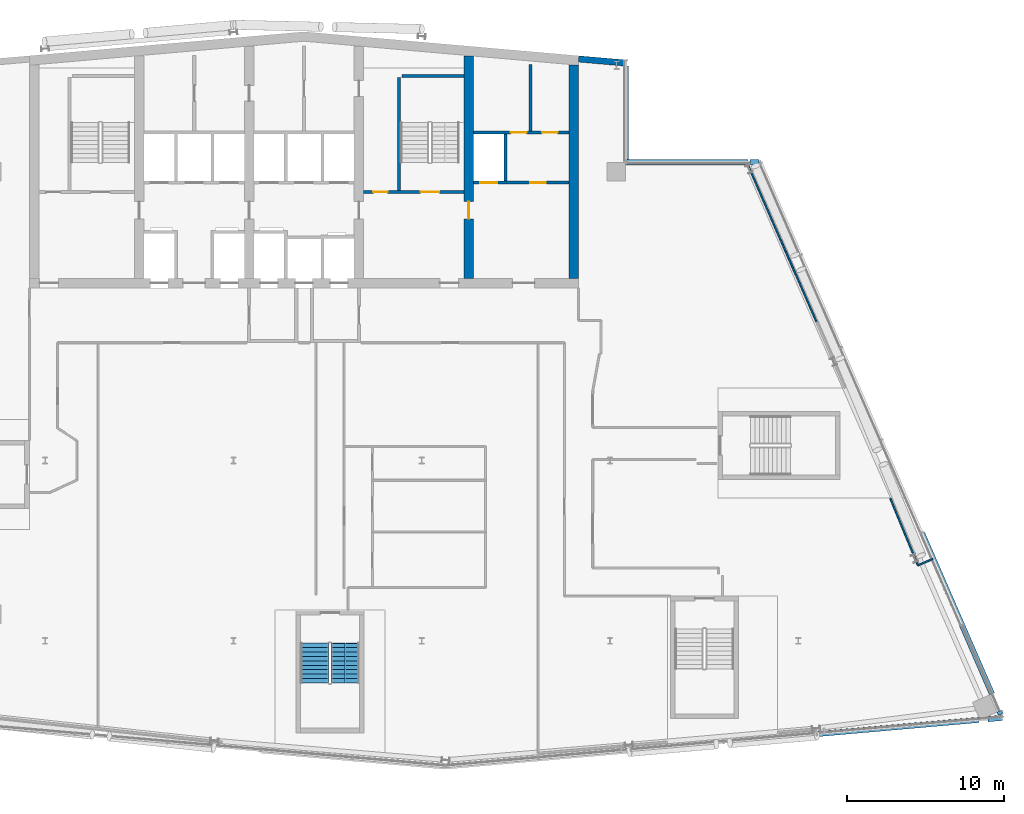
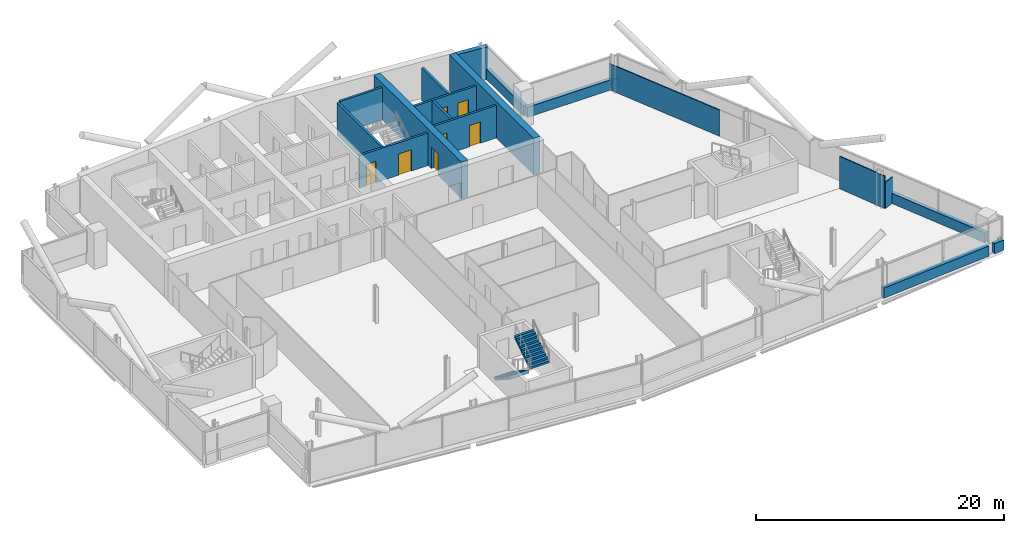
# One storey, part 18 of 26: 20 walls, 7 doors, 2 stair flights, 7 openings, 1 element without a shape of its own.
"""IFC4 building model written with IfcOpenShell, lengths in metres."""

import ifcopenshell
import ifcopenshell.guid

model = None  # the IFC model being written
_history = None  # IfcOwnerHistory: only IFC2X3 demands one
_inside = {}  # id of a spatial element -> (the spatial element, [elements in it])
_under = {}  # id of a project, library or spatial element -> (it, [spatial elements below it])
_declared = {}  # id of a project -> (the project, [libraries it declares])
_typed = {}  # id of a type object -> (the type object, [elements of that type])
_made_of = {}  # id of a material, layer set ... -> (it, [elements and type objects made of it])


def new_model(schema):
    """Start an empty IFC model of exactly this schema.

    Asked for "IFC4X3", IfcOpenShell would pick the latest addendum, in which some entities
    have other attributes; the version numbers below select the first issue.
    IFC2X3 requires an IfcOwnerHistory on every rooted entity: one is made here for all.
    """
    global model, _history
    if schema == "IFC4X3":
        model = ifcopenshell.file(schema_version=(4, 3, 0, 0))
    else:
        model = ifcopenshell.file(schema=schema)
    _inside.clear()
    _under.clear()
    _declared.clear()
    _typed.clear()
    _made_of.clear()
    _history = None
    if model.schema == "IFC2X3":
        org = make("IfcOrganization", Name="unknown")
        user = make(
            "IfcPersonAndOrganization",
            ThePerson=make("IfcPerson", FamilyName="unknown"),
            TheOrganization=org,
        )
        app = make(
            "IfcApplication",
            ApplicationDeveloper=org,
            Version="unknown",
            ApplicationFullName="unknown",
            ApplicationIdentifier="unknown",
        )
        _history = make(
            "IfcOwnerHistory",
            OwningUser=user,
            OwningApplication=app,
            ChangeAction="ADDED",
            CreationDate=0,
        )
    return model


def make(cls, **values):
    """One entity of the class cls with the attributes given. An attribute that is None is left unset."""
    return model.create_entity(
        cls, **{name: value for name, value in values.items() if value is not None}
    )


def rooted(cls, **values):
    """An entity with a GlobalId (a new one), such as an element, a storey or a relation."""
    return make(cls, GlobalId=ifcopenshell.guid.new(), OwnerHistory=_history, **values)


def si_unit(unit_type, name, prefix=None):
    """IfcSIUnit, for example si_unit("LENGTHUNIT", "METRE", prefix="MILLI")."""
    return make("IfcSIUnit", UnitType=unit_type, Prefix=prefix, Name=name)


def assignment(units):
    """IfcUnitAssignment: the units of a project."""
    return None if units is None else make("IfcUnitAssignment", Units=units)


def point(xyz):
    """IfcCartesianPoint."""
    return None if xyz is None else make("IfcCartesianPoint", Coordinates=xyz)


def direction(xyz):
    """IfcDirection."""
    return None if xyz is None else make("IfcDirection", DirectionRatios=xyz)


def frame(location, z_axis=None, x_axis=None):
    """IfcAxis2Placement3D, a coordinate frame: its origin and axes. An axis left out is left unset."""
    return make(
        "IfcAxis2Placement3D",
        Location=point(location),
        Axis=direction(z_axis),
        RefDirection=direction(x_axis),
    )


def frame_2d(location, x_axis=None):
    """IfcAxis2Placement2D, a coordinate frame in the plane: its origin and x axis."""
    return make(
        "IfcAxis2Placement2D", Location=point(location), RefDirection=direction(x_axis)
    )


def origin():
    """The frame at (0, 0, 0) with its axes left unset."""
    return frame((0.0, 0.0, 0.0))


def place(relative_to, where):
    """IfcLocalPlacement: puts the frame where relative to a parent placement (None: the world)."""
    return make(
        "IfcLocalPlacement", PlacementRelTo=relative_to, RelativePlacement=where
    )


def context(
    kind, dimensions, precision=None, world=None, true_north=None, identifier=None
):
    """IfcGeometricRepresentationContext, for example the 3D "Model" context."""
    return make(
        "IfcGeometricRepresentationContext",
        ContextIdentifier=identifier,
        ContextType=kind,
        CoordinateSpaceDimension=dimensions,
        Precision=precision,
        WorldCoordinateSystem=world,
        TrueNorth=true_north,
    )


def subcontext(parent, identifier, kind, view, scale=None):
    """IfcGeometricRepresentationSubContext, for example "Body" below "Model"."""
    return make(
        "IfcGeometricRepresentationSubContext",
        ContextIdentifier=identifier,
        ContextType=kind,
        ParentContext=parent,
        TargetScale=scale,
        TargetView=view,
    )


def project(units=None, contexts=None):
    """IfcProject with its units and contexts."""
    return rooted(
        "IfcProject",
        Name="project",
        RepresentationContexts=contexts,
        UnitsInContext=assignment(units),
    )


def spatial(cls, under=None, at=None, **own):
    """A site, building, storey or space (cls), placed at a placement, below another one or the project."""
    s = rooted(cls, ObjectPlacement=at, **own)
    if under is not None:
        _under.setdefault(under.id(), (under, []))[1].append(s)
    return s


def polyline(points):
    """IfcPolyline through the points."""
    return make("IfcPolyline", Points=[point(p) for p in points])


def profile(cls, at=None, kind="AREA", **sizes):
    """A parametric profile (cls). Its sizes go by their IFC names, for example OverallWidth=200.0."""
    return make(cls, ProfileType=kind, Position=at, **sizes)


def rectangle(**sizes):
    """IfcRectangleProfileDef."""
    return profile("IfcRectangleProfileDef", **sizes)


def outline(outer, holes=None, kind="AREA"):
    """IfcArbitraryClosedProfileDef: a profile drawn as a closed curve; with holes, ...WithVoids."""
    if holes is None:
        return make("IfcArbitraryClosedProfileDef", ProfileType=kind, OuterCurve=outer)
    return make(
        "IfcArbitraryProfileDefWithVoids",
        ProfileType=kind,
        OuterCurve=outer,
        InnerCurves=holes,
    )


def extrude(swept, where, along, depth):
    """IfcExtrudedAreaSolid: the profile swept, set in the frame where, extruded along a direction by depth."""
    return make(
        "IfcExtrudedAreaSolid",
        SweptArea=swept,
        Position=where,
        ExtrudedDirection=direction(along),
        Depth=depth,
    )


def shape(context_of_items, identifier, shape_type, items):
    """IfcShapeRepresentation: the items that make up one representation, for example the "Body"."""
    return make(
        "IfcShapeRepresentation",
        ContextOfItems=context_of_items,
        RepresentationIdentifier=identifier,
        RepresentationType=shape_type,
        Items=items,
    )


def material(Name=None, Category=None):
    """IfcMaterial."""
    return make("IfcMaterial", Name=Name, Category=Category)


def layer(
    of_material, thickness, ventilated=None, Name=None, Category=None, Priority=None
):
    """IfcMaterialLayer: one layer of a wall or slab, of a material (None: an air gap)."""
    return make(
        "IfcMaterialLayer",
        Material=of_material,
        LayerThickness=thickness,
        IsVentilated=ventilated,
        Name=Name,
        Category=Category,
        Priority=Priority,
    )


def layer_set(layers, Name=None):
    """IfcMaterialLayerSet."""
    return make("IfcMaterialLayerSet", MaterialLayers=layers, LayerSetName=Name)


def made_of(thing, what):
    """Note that an element or type object is made of a material, layer set ...; save() writes the relation."""
    if what is not None:
        _made_of.setdefault(what.id(), (what, []))[1].append(thing)
    return thing


def type_object(cls, material=None, **own):
    """A type object (cls), such as IfcWallType, which elements share."""
    return made_of(rooted(cls, **own), material)


def element(
    cls,
    number,
    at=None,
    inside=None,
    cuts=None,
    type_object=None,
    material=None,
    context=None,
    identifier="Body",
    shape_type=None,
    held_by="IfcProductDefinitionShape",
    body=None,
    shapes=None,
    **own,
):
    """One element of the class cls, such as IfcWall. Its Tag is "e" and its number.

    at: its placement. inside: the storey or other place that contains it. cuts: it is an
    opening in that element (IfcRelVoidsElement). A single representation is given by context,
    identifier, shape_type and body (its items); several are given by shapes. held_by: the class
    of the entity that holds the representations. save() writes the other relations.
    """
    e = rooted(cls, Tag="e%d" % number, ObjectPlacement=at, **own)
    if body is not None:
        shapes = [shape(context, identifier, shape_type, body)]
    if shapes is not None:
        e.Representation = make(held_by, Representations=shapes)
    if inside is not None:
        _inside.setdefault(inside.id(), (inside, []))[1].append(e)
    if cuts is not None:
        rooted(
            "IfcRelVoidsElement", RelatingBuildingElement=cuts, RelatedOpeningElement=e
        )
    if type_object is not None:
        _typed.setdefault(type_object.id(), (type_object, []))[1].append(e)
    return made_of(e, material)


def fill(opening, filler):
    """IfcRelFillsElement: the door or window that sits in an opening."""
    return rooted(
        "IfcRelFillsElement",
        RelatingOpeningElement=opening,
        RelatedBuildingElement=filler,
    )


def aggregate(whole, parts):
    """IfcRelAggregates: a whole, such as a stair, and the parts it consists of."""
    return rooted("IfcRelAggregates", RelatingObject=whole, RelatedObjects=parts)


def save(model, path):
    """Write the relations noted so far, then the file.

    IfcRelAggregates (storeys below a building ...), IfcRelContainedInSpatialStructure (elements
    in a storey), IfcRelDefinesByType, IfcRelAssociatesMaterial and IfcRelDeclares: one each for
    every whole, place, type object, material and project.
    """
    for whole, parts in _under.values():
        aggregate(whole, parts)
    for where, things in _inside.values():
        rooted(
            "IfcRelContainedInSpatialStructure",
            RelatedElements=things,
            RelatingStructure=where,
        )
    for kind, things in _typed.values():
        rooted("IfcRelDefinesByType", RelatedObjects=things, RelatingType=kind)
    for what, things in _made_of.values():
        rooted("IfcRelAssociatesMaterial", RelatedObjects=things, RelatingMaterial=what)
    for by, libraries in _declared.values():
        rooted("IfcRelDeclares", RelatingContext=by, RelatedDefinitions=libraries)
    model.write(path)


model = new_model("IFC4")

# Units and contexts
model_context = context("Model", 3, precision=1e-05, world=origin(), true_north=direction((0.0, 1.0)))
body_context = subcontext(model_context, "Body", "Model", "MODEL_VIEW")
ifc_project = project(units=[si_unit("LENGTHUNIT", "METRE"), si_unit("AREAUNIT", "SQUARE_METRE"), si_unit("VOLUMEUNIT", "CUBIC_METRE"), si_unit("PLANEANGLEUNIT", "RADIAN"), si_unit("MASSUNIT", "GRAM", prefix="KILO")], contexts=[model_context])

# Site, building, storey
site_placement = place(None, origin())
site = spatial("IfcSite", under=ifc_project, at=site_placement, CompositionType="ELEMENT")
building_placement = place(site_placement, origin())
building = spatial("IfcBuilding", under=site, at=building_placement, Name="Wharfspan Tower", CompositionType="ELEMENT")
storey_placement = place(building_placement, frame((0.0, 0.0, 235.899902)))
storey = spatial("IfcBuildingStorey", under=building, at=storey_placement, Name="L59", CompositionType="ELEMENT", Elevation=235.899902)

# Wall
ifc_material_1 = material(Name="Calcium silicate masonry", Category="masonry")
ifc_layer_1 = layer(ifc_material_1, 0.199951)
ifc_layer_set_1 = layer_set([ifc_layer_1], Name="Calcium silicate masonry")
wall_type_1 = type_object("IfcWallType", Name="Core room wall 200", PredefinedType="PARTITIONING", material=ifc_layer_set_1)
wall_1_placement = place(storey_placement, frame((54.93335, 44.0, 0.0), z_axis=(0.0, 0.0, 1.0), x_axis=(0.0, 1.0, 0.0)))
element("IfcWall", 1, at=wall_1_placement, inside=storey, type_object=wall_type_1, Name="sw:L59:RP6.1", PredefinedType="PARTITIONING", context=body_context, shape_type="SweptSolid", body=[
    extrude(rectangle(XDim=4.217529, YDim=0.199951, at=frame_2d((2.108887, 0.0))), origin(), (0.0, 0.0, 1.0), 3.200195),
])

# Wall, opening, door
ifc_material_2 = material(Name="Concrete C50/60", Category="concrete")
ifc_layer_2 = layer(ifc_material_2, 0.600098)
ifc_layer_set_2 = layer_set([ifc_layer_2], Name="Concrete C50/60")
wall_type_2 = type_object("IfcWallType", Name="Core wall 600 C50/60", PredefinedType="SHEAR", material=ifc_layer_set_2)
wall_2_placement = place(storey_placement, frame((51.0, 34.600098, 0.0), z_axis=(0.0, 0.0, 1.0), x_axis=(0.0, 1.0, 0.0)))
wall_2 = element("IfcWall", 2, at=wall_2_placement, inside=storey, type_object=wall_type_2, Name="Core cross wall X6 L59", PredefinedType="SHEAR", context=body_context, shape_type="SweptSolid", body=[
    extrude(rectangle(XDim=14.171143, YDim=0.600098, at=frame_2d((7.085449, 0.0))), origin(), (0.0, 0.0, 1.0), 3.600098),
])
opening_1_placement = place(wall_2_placement, frame((3.800049, 0.0, 0.0)))
opening_1 = element("IfcOpeningElement", 3, at=opening_1_placement, cuts=wall_2, Name="Opening CC59.6", PredefinedType="OPENING", context=body_context, shape_type="SweptSolid", body=[
    extrude(rectangle(XDim=1.100098, YDim=2.100098, at=frame_2d((0.550049, 1.050049))), frame((0.0, 0.310059, 0.0), z_axis=(0.0, -1.0, 0.0), x_axis=(1.0, 0.0, 0.0)), (0.0, 0.0, 1.0), 0.620117),
])
ifc_material_3 = material(Name="Steel door leaf", Category="steel")
door_type_1 = type_object("IfcDoorType", Name="Core corridor door 1100x2100", OperationType="SINGLE_SWING_LEFT", PredefinedType="DOOR", material=ifc_material_3)
door_1_placement = place(opening_1_placement, origin())
door_1 = element("IfcDoor", 4, at=door_1_placement, inside=storey, type_object=door_type_1, Name="xd:L59:6", OperationType="SINGLE_SWING_RIGHT", OverallHeight=2.100098, OverallWidth=1.100098, PredefinedType="DOOR", context=body_context, shape_type="SweptSolid", body=[
    extrude(rectangle(XDim=1.100098, YDim=2.100098, at=frame_2d((0.550049, 1.050049))), frame((0.0, 0.024902, 0.0), z_axis=(0.0, -1.0, 0.0), x_axis=(1.0, 0.0, 0.0)), (0.0, 0.0, 1.0), 0.050049),
])
fill(opening_1, door_1)

# Wall
wall_3_placement = place(storey_placement, frame((57.699951, 34.600098, 0.0), z_axis=(0.0, 0.0, 1.0), x_axis=(0.0, 1.0, 0.0)))
element("IfcWall", 5, at=wall_3_placement, inside=storey, type_object=wall_type_2, Name="Core cross wall EW1 L59", PredefinedType="SHEAR", context=body_context, shape_type="SweptSolid", body=[
    extrude(rectangle(XDim=13.584961, YDim=0.600098, at=frame_2d((6.79248, 0.0))), origin(), (0.0, 0.0, 1.0), 3.600098),
])

# Wall, openings, doors
ifc_material_4 = material(Name="Concrete C30/37", Category="concrete")
ifc_layer_3 = layer(ifc_material_4, 0.199951)
ifc_layer_set_3 = layer_set([ifc_layer_3], Name="Concrete C30/37")
wall_type_3 = type_object("IfcWallType", Name="Lift shaft wall 200", PredefinedType="PARTITIONING", material=ifc_layer_set_3)
wall_4_placement = place(storey_placement, frame((51.300049, 40.699951, 0.0), z_axis=(0.0, 0.0, 1.0), x_axis=(1.0, 0.0, 0.0)))
wall_4 = element("IfcWall", 6, at=wall_4_placement, inside=storey, type_object=wall_type_3, Name="sw:L59:RF6", PredefinedType="PARTITIONING", context=body_context, shape_type="SweptSolid", body=[
    extrude(rectangle(XDim=6.099854, YDim=0.199951, at=frame_2d((3.049805, 0.0))), origin(), (0.0, 0.0, 1.0), 3.200195),
])
opening_2_placement = place(wall_4_placement, frame((0.416748, 0.0, 0.0)))
opening_2 = element("IfcOpeningElement", 7, at=opening_2_placement, cuts=wall_4, Name="Opening LD.LB8.L59", PredefinedType="OPENING", context=body_context, shape_type="SweptSolid", body=[
    extrude(rectangle(XDim=1.100098, YDim=2.100098, at=frame_2d((0.550049, 1.050049))), frame((0.0, 0.109863, 0.0), z_axis=(0.0, -1.0, 0.0), x_axis=(1.0, 0.0, 0.0)), (0.0, 0.0, 1.0), 0.219971),
])
opening_3_placement = place(wall_4_placement, frame((3.616699, 0.0, 0.0)))
opening_3 = element("IfcOpeningElement", 8, at=opening_3_placement, cuts=wall_4, Name="Opening CD59.6R2", PredefinedType="OPENING", context=body_context, shape_type="SweptSolid", body=[
    extrude(rectangle(XDim=1.0, YDim=2.100098, at=frame_2d((0.5, 1.050049))), frame((0.0, 0.109863, 0.0), z_axis=(0.0, -1.0, 0.0), x_axis=(1.0, 0.0, 0.0)), (0.0, 0.0, 1.0), 0.219971),
])
door_type_2 = type_object("IfcDoorType", Name="Core room door 1000x2100", OperationType="SINGLE_SWING_LEFT", PredefinedType="DOOR", material=ifc_material_3)
door_2_placement = place(opening_3_placement, origin())
door_2 = element("IfcDoor", 9, at=door_2_placement, inside=storey, type_object=door_type_2, Name="d:L59:6:rd6.2", OperationType="SINGLE_SWING_RIGHT", OverallHeight=2.100098, OverallWidth=1.0, PredefinedType="DOOR", context=body_context, shape_type="SweptSolid", body=[
    extrude(rectangle(XDim=1.0, YDim=2.100098, at=frame_2d((0.5, 1.050049))), frame((0.0, 0.024902, 0.0), z_axis=(0.0, -1.0, 0.0), x_axis=(1.0, 0.0, 0.0)), (0.0, 0.0, 1.0), 0.050049),
])
fill(opening_3, door_2)
ifc_material_5 = material(Name="Stainless steel", Category="steel")
door_type_3 = type_object("IfcDoorType", Name="Lift landing door 1100x2100", OperationType="DOUBLE_DOOR_SLIDING", PredefinedType="DOOR", material=ifc_material_5)
door_3_placement = place(opening_2_placement, origin())
door_3 = element("IfcDoor", 10, at=door_3_placement, inside=storey, type_object=door_type_3, Name="Landing door LB8 L59", OperationType="DOUBLE_DOOR_SLIDING", OverallHeight=2.100098, OverallWidth=1.100098, PredefinedType="DOOR", context=body_context, shape_type="SweptSolid", body=[
    extrude(rectangle(XDim=1.100098, YDim=2.100098, at=frame_2d((0.550049, 1.050049))), frame((0.0, 0.024902, 0.0), z_axis=(0.0, -1.0, 0.0), x_axis=(1.0, 0.0, 0.0)), (0.0, 0.0, 1.0), 0.050049),
])
fill(opening_2, door_3)

wall_5_placement = place(storey_placement, frame((51.300049, 43.899902, 0.0), z_axis=(0.0, 0.0, 1.0), x_axis=(1.0, 0.0, 0.0)))
wall_5 = element("IfcWall", 11, at=wall_5_placement, inside=storey, type_object=wall_type_3, Name="sw:L59:RR6", PredefinedType="PARTITIONING", context=body_context, shape_type="SweptSolid", body=[
    extrude(rectangle(XDim=6.099854, YDim=0.199951, at=frame_2d((3.049805, 0.0))), origin(), (0.0, 0.0, 1.0), 3.200195),
])
opening_4_placement = place(wall_5_placement, frame((2.383301, 0.0, 0.0)))
opening_4 = element("IfcOpeningElement", 12, at=opening_4_placement, cuts=wall_5, Name="Opening CD59.6S2", PredefinedType="OPENING", context=body_context, shape_type="SweptSolid", body=[
    extrude(rectangle(XDim=1.0, YDim=2.100098, at=frame_2d((0.5, 1.050049))), frame((0.0, 0.109863, 0.0), z_axis=(0.0, -1.0, 0.0), x_axis=(1.0, 0.0, 0.0)), (0.0, 0.0, 1.0), 0.219971),
])
opening_5_placement = place(wall_5_placement, frame((4.366699, 0.0, 0.0)))
opening_5 = element("IfcOpeningElement", 13, at=opening_5_placement, cuts=wall_5, Name="Opening CD59.6S2a", PredefinedType="OPENING", context=body_context, shape_type="SweptSolid", body=[
    extrude(rectangle(XDim=1.0, YDim=2.100098, at=frame_2d((0.5, 1.050049))), frame((0.0, 0.109863, 0.0), z_axis=(0.0, -1.0, 0.0), x_axis=(1.0, 0.0, 0.0)), (0.0, 0.0, 1.0), 0.219971),
])
door_4_placement = place(opening_4_placement, origin())
door_4 = element("IfcDoor", 14, at=door_4_placement, inside=storey, type_object=door_type_2, Name="d:L59:6:rs6.2", OperationType="SINGLE_SWING_LEFT", OverallHeight=2.100098, OverallWidth=1.0, PredefinedType="DOOR", context=body_context, shape_type="SweptSolid", body=[
    extrude(rectangle(XDim=1.0, YDim=2.100098, at=frame_2d((0.5, 1.050049))), frame((0.0, 0.024902, 0.0), z_axis=(0.0, -1.0, 0.0), x_axis=(1.0, 0.0, 0.0)), (0.0, 0.0, 1.0), 0.050049),
])
fill(opening_4, door_4)
door_5_placement = place(opening_5_placement, origin())
door_5 = element("IfcDoor", 15, at=door_5_placement, inside=storey, type_object=door_type_2, Name="d:L59:6:rs6.2a", OperationType="SINGLE_SWING_LEFT", OverallHeight=2.100098, OverallWidth=1.0, PredefinedType="DOOR", context=body_context, shape_type="SweptSolid", body=[
    extrude(rectangle(XDim=1.0, YDim=2.100098, at=frame_2d((0.5, 1.050049))), frame((0.0, 0.024902, 0.0), z_axis=(0.0, -1.0, 0.0), x_axis=(1.0, 0.0, 0.0)), (0.0, 0.0, 1.0), 0.050049),
])
fill(opening_5, door_5)

# Walls
wall_6_placement = place(storey_placement, origin())
element("IfcWall", 16, at=wall_6_placement, inside=storey, type_object=wall_type_3, Name="sw:L59:RM6.0", PredefinedType="PARTITIONING", context=body_context, shape_type="SweptSolid", body=[
    extrude(outline(polyline([(53.43335, 40.800049), (53.43335, 43.800049), (53.233398, 43.800049), (53.233398, 40.800049), (53.43335, 40.800049)])), origin(), (0.0, 0.0, 1.0), 3.200195),
])
ifc_material_6 = material(Name="Gypsum board on steel studs", Category="steel")
ifc_layer_4 = layer(ifc_material_6, 0.100098)
ifc_layer_set_4 = layer_set([ifc_layer_4], Name="Gypsum board on steel studs")
wall_type_4 = type_object("IfcWallType", Name="Partition 100", PredefinedType="PARTITIONING", material=ifc_layer_set_4)
wall_7_placement = place(storey_placement, frame((73.165039, 31.820068, 0.0), z_axis=(0.0, 0.0, 1.0), x_axis=(-0.400551, 0.916278, 0.0)))
element("IfcWall", 17, at=wall_7_placement, inside=storey, type_object=wall_type_4, Name="Partition L59.w044", PredefinedType="PARTITIONING", context=body_context, shape_type="SweptSolid", body=[
    extrude(rectangle(XDim=11.088379, YDim=0.100098, at=frame_2d((5.544189, 0.0))), origin(), (0.0, 0.0, 1.0), 2.580078),
])
wall_8_placement = place(storey_placement, frame((79.629883, 16.314941, 0.0), z_axis=(0.0, 0.0, 1.0), x_axis=(0.918616, 0.395147, 0.0)))
element("IfcWall", 18, at=wall_8_placement, inside=storey, type_object=wall_type_4, Name="Partition L59.w048", PredefinedType="PARTITIONING", context=body_context, shape_type="SweptSolid", body=[
    extrude(rectangle(XDim=1.03125, YDim=0.100098, at=frame_2d((0.515625, 0.0))), origin(), (0.0, 0.0, 1.0), 2.580078),
])
wall_9_placement = place(storey_placement, frame((79.629883, 16.314941, 0.0), z_axis=(0.0, 0.0, 1.0), x_axis=(-0.381721, 0.924278, 0.0)))
element("IfcWall", 19, at=wall_9_placement, inside=storey, type_object=wall_type_4, Name="Partition L59.w049", PredefinedType="PARTITIONING", context=body_context, shape_type="SweptSolid", body=[
    extrude(rectangle(XDim=4.614502, YDim=0.100098, at=frame_2d((2.307129, 0.0))), origin(), (0.0, 0.0, 1.0), 3.200195),
])
ifc_material_7 = material(Name="Concrete C40/50", Category="concrete")
ifc_layer_5 = layer(ifc_material_7, 0.350098)
ifc_layer_set_5 = layer_set([ifc_layer_5], Name="Concrete C40/50")
wall_type_5 = type_object("IfcWallType", Name="SPANDREL EXPOSED CONCRETE 350", PredefinedType="SOLIDWALL", material=ifc_layer_set_5)
wall_10_placement = place(storey_placement, frame((73.197021, 5.562256, 0.0), z_axis=(0.0, 0.0, 1.0), x_axis=(0.996198, 0.087163, 0.0)))
element("IfcWall", 20, at=wall_10_placement, inside=storey, type_object=wall_type_5, Name="Spandrel upstand L59 S2 2", PredefinedType="SOLIDWALL", context=body_context, shape_type="SweptSolid", body=[
    extrude(rectangle(XDim=10.35791, YDim=0.350098, at=frame_2d((5.178955, 0.0))), origin(), (0.0, 0.0, 1.0), 1.0),
])
wall_11_placement = place(storey_placement, frame((84.077637, 6.514404, 0.0), z_axis=(0.0, 0.0, 1.0), x_axis=(0.996213, 0.086971, 0.0)))
element("IfcWall", 21, at=wall_11_placement, inside=storey, type_object=wall_type_5, Name="Spandrel upstand L59 S2 3", PredefinedType="SOLIDWALL", context=body_context, shape_type="SweptSolid", body=[
    extrude(rectangle(XDim=0.92627, YDim=0.350098, at=frame_2d((0.463135, 0.0))), origin(), (0.0, 0.0, 1.0), 1.0),
])
wall_12_placement = place(storey_placement, frame((84.9104, 6.818604, 0.0), z_axis=(0.0, 0.0, 1.0), x_axis=(-0.398359, 0.91723, 0.0)))
element("IfcWall", 22, at=wall_12_placement, inside=storey, type_object=wall_type_5, Name="Spandrel upstand L59 E", PredefinedType="SOLIDWALL", context=body_context, shape_type="SweptSolid", body=[
    extrude(rectangle(XDim=0.21875, YDim=0.350098, at=frame_2d((0.109375, 0.0))), origin(), (0.0, 0.0, 1.0), 1.0),
])
wall_13_placement = place(storey_placement, frame((84.344727, 8.119873, 0.0), z_axis=(0.0, 0.0, 1.0), x_axis=(-0.398721, 0.917067, 0.0)))
element("IfcWall", 23, at=wall_13_placement, inside=storey, type_object=wall_type_5, Name="Spandrel upstand L59 E 2", PredefinedType="SOLIDWALL", context=body_context, shape_type="SweptSolid", body=[
    extrude(rectangle(XDim=11.181885, YDim=0.350098, at=frame_2d((5.59082, 0.0))), origin(), (0.0, 0.0, 1.0), 1.0),
])
wall_14_placement = place(storey_placement, frame((69.498535, 42.004883, 0.0), z_axis=(0.0, 0.0, 1.0), x_axis=(-1.0, 0.0, 0.0)))
element("IfcWall", 24, at=wall_14_placement, inside=storey, type_object=wall_type_5, Name="Spandrel upstand L59 NRE-H", PredefinedType="SOLIDWALL", context=body_context, shape_type="SweptSolid", body=[
    extrude(rectangle(XDim=0.57666, YDim=0.350098, at=frame_2d((0.28833, 0.0))), origin(), (0.0, 0.0, 1.0), 1.0),
])
wall_15_placement = place(storey_placement, frame((68.803467, 42.004883, 0.0), z_axis=(0.0, 0.0, 1.0), x_axis=(-1.0, 0.0, 0.0)))
element("IfcWall", 25, at=wall_15_placement, inside=storey, type_object=wall_type_5, Name="Spandrel upstand L59 NRE-H 2", PredefinedType="SOLIDWALL", context=body_context, shape_type="SweptSolid", body=[
    extrude(rectangle(XDim=7.803467, YDim=0.350098, at=frame_2d((3.901855, 0.0))), origin(), (0.0, 0.0, 1.0), 1.0),
])
wall_16_placement = place(storey_placement, frame((61.004883, 42.179932, 0.0), z_axis=(0.0, 0.0, 1.0), x_axis=(0.0, 1.0, 0.0)))
element("IfcWall", 26, at=wall_16_placement, inside=storey, type_object=wall_type_5, Name="Spandrel upstand L59 NRE-V", PredefinedType="SOLIDWALL", context=body_context, shape_type="SweptSolid", body=[
    extrude(rectangle(XDim=5.946533, YDim=0.350098, at=frame_2d((2.973145, 0.0))), origin(), (0.0, 0.0, 1.0), 1.0),
])

# Wall, openings, doors
ifc_layer_6 = layer(ifc_material_7, 0.199951)
ifc_layer_set_6 = layer_set([ifc_layer_6], Name="Concrete C40/50")
wall_type_6 = type_object("IfcWallType", Name="Stair shaft wall 200", PredefinedType="SHEAR", material=ifc_layer_set_6)
wall_17_placement = place(storey_placement, frame((44.300049, 40.100098, 0.0), z_axis=(0.0, 0.0, 1.0), x_axis=(1.0, 0.0, 0.0)))
wall_17 = element("IfcWall", 27, at=wall_17_placement, inside=storey, type_object=wall_type_6, Name="ST2 stair enclosure wall L59", PredefinedType="SHEAR", context=body_context, shape_type="SweptSolid", body=[
    extrude(rectangle(XDim=6.399902, YDim=0.199951, at=frame_2d((3.199951, 0.0))), origin(), (0.0, 0.0, 1.0), 3.200195),
])
opening_6_placement = place(wall_17_placement, frame((3.625, 0.0, 0.0)))
opening_6 = element("IfcOpeningElement", 28, at=opening_6_placement, cuts=wall_17, Name="Opening SD5.L59", PredefinedType="OPENING", context=body_context, shape_type="SweptSolid", body=[
    extrude(rectangle(XDim=1.199951, YDim=2.100098, at=frame_2d((0.600098, 1.050049))), frame((0.0, 0.109863, 0.0), z_axis=(0.0, -1.0, 0.0), x_axis=(1.0, 0.0, 0.0)), (0.0, 0.0, 1.0), 0.219971),
])
opening_7_placement = place(wall_17_placement, frame((0.625, 0.0, 0.0)))
opening_7 = element("IfcOpeningElement", 29, at=opening_7_placement, cuts=wall_17, Name="Opening CD59.5R", PredefinedType="OPENING", context=body_context, shape_type="SweptSolid", body=[
    extrude(rectangle(XDim=0.899902, YDim=2.100098, at=frame_2d((0.449951, 1.050049))), frame((0.0, 0.109863, 0.0), z_axis=(0.0, -1.0, 0.0), x_axis=(1.0, 0.0, 0.0)), (0.0, 0.0, 1.0), 0.219971),
])
door_6_placement = place(opening_7_placement, origin())
door_6 = element("IfcDoor", 30, at=door_6_placement, inside=storey, type_object=door_type_2, Name="rk:L59:5", OperationType="SINGLE_SWING_LEFT", OverallHeight=2.100098, OverallWidth=0.899902, PredefinedType="DOOR", context=body_context, shape_type="SweptSolid", body=[
    extrude(rectangle(XDim=0.899902, YDim=2.100098, at=frame_2d((0.449951, 1.050049))), frame((0.0, 0.024902, 0.0), z_axis=(0.0, -1.0, 0.0), x_axis=(1.0, 0.0, 0.0)), (0.0, 0.0, 1.0), 0.050049),
])
fill(opening_7, door_6)
door_type_4 = type_object("IfcDoorType", Name="Stair door 1200x2100", OperationType="SINGLE_SWING_LEFT", PredefinedType="DOOR", material=ifc_material_3)
door_7_placement = place(opening_6_placement, origin())
door_7 = element("IfcDoor", 31, at=door_7_placement, inside=storey, type_object=door_type_4, Name="sd:L59:5", OperationType="SINGLE_SWING_RIGHT", OverallHeight=2.100098, OverallWidth=1.199951, PredefinedType="DOOR", context=body_context, shape_type="SweptSolid", body=[
    extrude(rectangle(XDim=1.199951, YDim=2.100098, at=frame_2d((0.600098, 1.050049))), frame((0.0, 0.024902, 0.0), z_axis=(0.0, -1.0, 0.0), x_axis=(1.0, 0.0, 0.0)), (0.0, 0.0, 1.0), 0.050049),
])
fill(opening_6, door_7)

# Walls
wall_18_placement = place(storey_placement, frame((46.550049, 40.199951, 0.0), z_axis=(0.0, 0.0, 1.0), x_axis=(0.0, 1.0, 0.0)))
element("IfcWall", 32, at=wall_18_placement, inside=storey, type_object=wall_type_6, Name="ST2 stair enclosure wall L59", PredefinedType="SHEAR", context=body_context, shape_type="SweptSolid", body=[
    extrude(rectangle(XDim=7.199951, YDim=0.199951, at=frame_2d((3.600098, 0.0))), origin(), (0.0, 0.0, 1.0), 3.200195),
])
wall_19_placement = place(storey_placement, frame((46.75, 47.5, 0.0), z_axis=(0.0, 0.0, 1.0), x_axis=(1.0, 0.0, 0.0)))
element("IfcWall", 33, at=wall_19_placement, inside=storey, type_object=wall_type_6, Name="ST2 stair enclosure wall L59", PredefinedType="SHEAR", context=body_context, shape_type="SweptSolid", body=[
    extrude(rectangle(XDim=3.949951, YDim=0.199951, at=frame_2d((1.975098, 0.0))), origin(), (0.0, 0.0, 1.0), 3.200195),
])
ifc_layer_7 = layer(ifc_material_7, 0.399902)
ifc_layer_set_7 = layer_set([ifc_layer_7], Name="Concrete C40/50")
wall_type_7 = type_object("IfcWallType", Name="WALL EXPOSED CONCRETE 400", PredefinedType="SOLIDWALL", material=ifc_layer_set_7)
wall_20_placement = place(storey_placement, frame((60.982666, 48.325684, 0.0), z_axis=(0.0, 0.0, 1.0), x_axis=(-0.996194, 0.087168, 0.0)))
element("IfcWall", 34, at=wall_20_placement, inside=storey, type_object=wall_type_7, Name="Rear wall N2", PredefinedType="SOLIDWALL", context=body_context, shape_type="SweptSolid", body=[
    extrude(rectangle(XDim=2.994141, YDim=0.399902, at=frame_2d((1.49707, 0.0))), origin(), (0.0, 0.0, 1.0), 3.200195),
])

# Stair, stair flights
stair_type = type_object("IfcStairType", Name="Half-turn stair 20 risers 180 mm", PredefinedType="HALF_TURN_STAIR", material=ifc_material_7)
stair_placement = place(storey_placement, origin())
stair = element("IfcStair", 35, at=stair_placement, inside=storey, type_object=stair_type, Name="L59 stair ST4", PredefinedType="HALF_TURN_STAIR")
stair_flight_type = type_object("IfcStairFlightType", Name="Stair flight 20 risers 180 mm", PredefinedType="STRAIGHT", material=ifc_material_7)
stair_flight_1_placement = place(storey_placement, frame((41.177002, 11.343262, 0.0), z_axis=(0.0, 0.0, 1.0), x_axis=(0.0, -1.0, 0.0)))
stair_flight_1 = element("IfcStairFlight", 36, at=stair_flight_1_placement, type_object=stair_flight_type, Name="ST4 flight 1", NumberOfRisers=10, NumberOfTreads=9, PredefinedType="STRAIGHT", RiserHeight=0.18, TreadLength=0.28, context=body_context, shape_type="SweptSolid", body=[
    extrude(outline(polyline([(-0.011963, 0.0), (-0.011963, 0.179932), (0.0, 0.179932), (0.280029, 0.179932), (0.280029, 0.360107), (0.560059, 0.360107), (0.560059, 0.540039), (0.840088, 0.540039), (0.840088, 0.719971), (1.120117, 0.719971), (1.120117, 0.899902), (1.399902, 0.899902), (1.399902, 1.080078), (1.679932, 1.080078), (1.679932, 1.26001), (1.959961, 1.26001), (1.959961, 1.439941), (2.23999, 1.439941), (2.23999, 1.620117), (2.52002, 1.620117), (2.531982, 1.800049), (2.531982, 1.441895), (0.2771, 0.0), (-0.011963, 0.0)])), frame((0.0, 0.899902, 0.0), z_axis=(0.0, -1.0, 0.0), x_axis=(1.0, 0.0, 0.0)), (0.0, 0.0, 1.0), 0.899414),
    extrude(outline(polyline([(-0.011963, 0.0), (-0.011963, 0.179932), (0.0, 0.179932), (0.280029, 0.179932), (0.280029, 0.360107), (0.560059, 0.360107), (0.560059, 0.540039), (0.840088, 0.540039), (0.840088, 0.719971), (1.120117, 0.719971), (1.120117, 0.899902), (1.399902, 0.899902), (1.399902, 1.080078), (1.679932, 1.080078), (1.679932, 1.26001), (1.959961, 1.26001), (1.959961, 1.439941), (2.23999, 1.439941), (2.23999, 1.620117), (2.52002, 1.620117), (2.531982, 1.800049), (2.531982, 1.441895), (0.2771, 0.0), (-0.011963, 0.0)])), frame((0.0, -0.000488, 0.0), z_axis=(0.0, -1.0, 0.0), x_axis=(1.0, 0.0, 0.0)), (0.0, 0.0, 1.0), 0.899414),
])
stair_flight_2_placement = place(storey_placement, frame((43.127197, 8.823242, 1.800049), z_axis=(0.0, 0.0, 1.0), x_axis=(0.0, 1.0, 0.0)))
stair_flight_2 = element("IfcStairFlight", 37, at=stair_flight_2_placement, type_object=stair_flight_type, Name="ST4 flight 2", NumberOfRisers=10, NumberOfTreads=9, PredefinedType="STRAIGHT", RiserHeight=0.18, TreadLength=0.28, context=body_context, shape_type="SweptSolid", body=[
    extrude(outline(polyline([(-0.011963, 0.0), (-0.011963, 0.179932), (0.0, 0.179932), (0.280029, 0.179932), (0.280029, 0.360107), (0.560059, 0.360107), (0.560059, 0.540039), (0.840088, 0.540039), (0.840088, 0.719971), (1.120117, 0.719971), (1.120117, 0.899902), (1.399902, 0.899902), (1.399902, 1.080078), (1.679932, 1.080078), (1.679932, 1.26001), (1.959961, 1.26001), (1.959961, 1.439941), (2.23999, 1.439941), (2.23999, 1.620117), (2.52002, 1.620117), (2.531982, 1.800049), (2.531982, 1.441895), (0.2771, 0.0), (-0.011963, 0.0)])), frame((0.0, 0.899902, 0.0), z_axis=(0.0, -1.0, 0.0), x_axis=(1.0, 0.0, 0.0)), (0.0, 0.0, 1.0), 0.899414),
    extrude(outline(polyline([(-0.011963, 0.0), (-0.011963, 0.179932), (0.0, 0.179932), (0.280029, 0.179932), (0.280029, 0.360107), (0.560059, 0.360107), (0.560059, 0.540039), (0.840088, 0.540039), (0.840088, 0.719971), (1.120117, 0.719971), (1.120117, 0.899902), (1.399902, 0.899902), (1.399902, 1.080078), (1.679932, 1.080078), (1.679932, 1.26001), (1.959961, 1.26001), (1.959961, 1.439941), (2.23999, 1.439941), (2.23999, 1.620117), (2.52002, 1.620117), (2.531982, 1.800049), (2.531982, 1.441895), (0.2771, 0.0), (-0.011963, 0.0)])), frame((0.0, -0.000488, 0.0), z_axis=(0.0, -1.0, 0.0), x_axis=(1.0, 0.0, 0.0)), (0.0, 0.0, 1.0), 0.899414),
])
aggregate(stair, [stair_flight_1, stair_flight_2])

save(model, "model.ifc")
